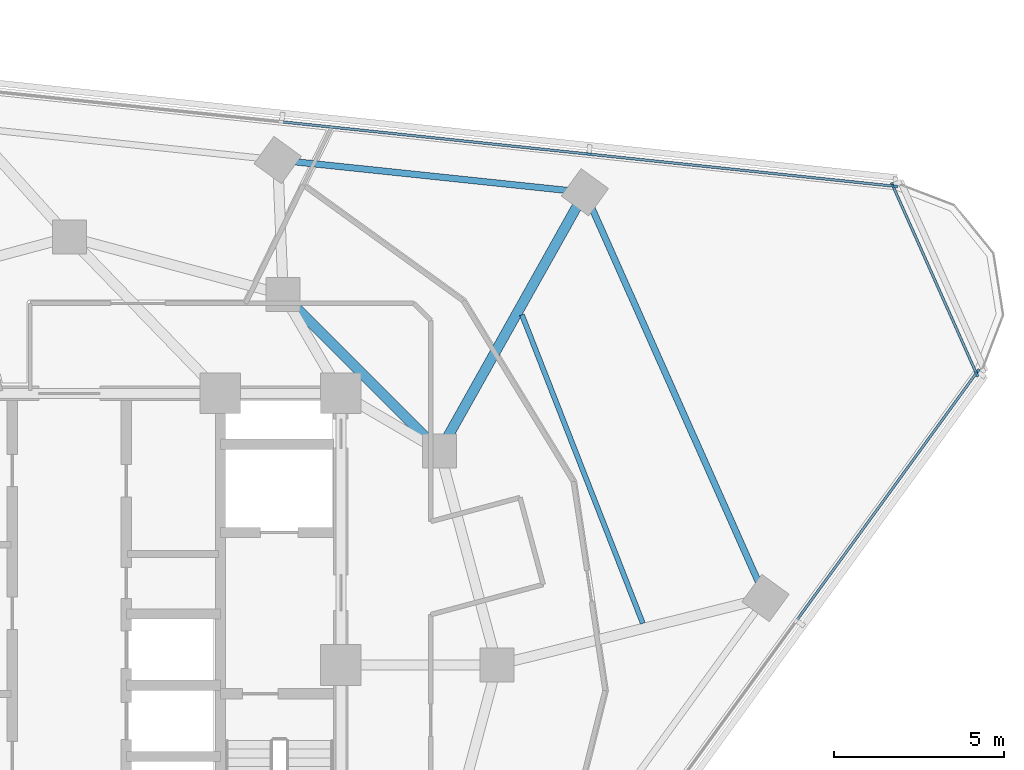
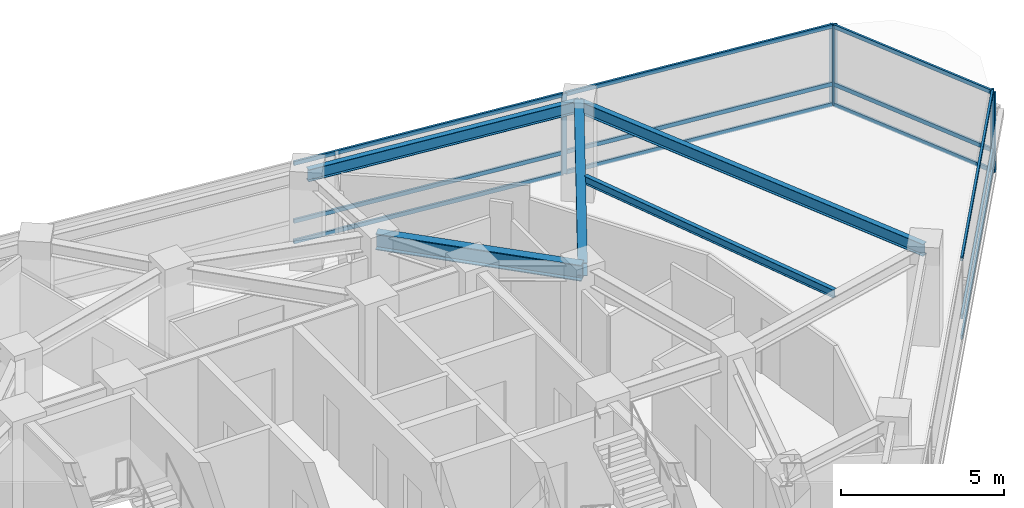
# One storey, part 6 of 15: 17 members, 5 beams, 3 elements without a shape of their own.
"""IFC4 building model written with IfcOpenShell, lengths in metres."""

from ifc_helpers import new_model, si_unit, direction, frame, origin, origin_2d, place, context, subcontext, project, spatial, rectangle, i_section, extrude, material, layer, layer_set, material_profile, profile_set, type_object, element, aggregate, save


model = new_model("IFC4")

# Units and contexts
model_context = context("Model", 3, precision=1e-05, world=origin(), true_north=direction((0.0, 1.0)))
body_context = subcontext(model_context, "Body", "Model", "MODEL_VIEW")
ifc_project = project(units=[si_unit("LENGTHUNIT", "METRE"), si_unit("AREAUNIT", "SQUARE_METRE"), si_unit("VOLUMEUNIT", "CUBIC_METRE"), si_unit("PLANEANGLEUNIT", "RADIAN"), si_unit("MASSUNIT", "GRAM", prefix="KILO")], contexts=[model_context])

# Site, building, storey
site_placement = place(None, origin())
site = spatial("IfcSite", under=ifc_project, at=site_placement, CompositionType="ELEMENT")
building_placement = place(site_placement, origin())
building = spatial("IfcBuilding", under=site, at=building_placement, Name="Terralouvre Media Tower", CompositionType="ELEMENT")
storey_placement = place(building_placement, frame((0.0, 0.0, 230.0)))
storey = spatial("IfcBuildingStorey", under=building, at=storey_placement, Name="L59", CompositionType="ELEMENT", Elevation=230.0)

# Beam
ifc_material_1 = material(Name="Structural steel S355J2", Category="steel")
ifc_material_profile_1 = material_profile(ifc_material_1, i_section(OverallWidth=0.14990234375, OverallDepth=0.300048828125, WebThickness=0.007080078125, FlangeThickness=0.0107421875, at=origin_2d()), Name="IPE 300")
ifc_profile_set_1 = profile_set([ifc_material_profile_1], Name="Structural steel S355J2")
beam_type_1 = type_object("IfcBeamType", Name="Composite Floor Joist J-IPE300 (IPE 300)", PredefinedType="JOIST", material=ifc_profile_set_1)
beam_1_placement = place(storey_placement, frame((16.89599609375, 1.2236328125, 3.35009765625), z_axis=(-0.364828295423, 0.931074817004, 0.0), x_axis=(-0.931074817004, -0.364828295423, 0.0)))
element("IfcBeam", 1, at=beam_1_placement, inside=storey, type_object=beam_type_1, Name="L59 Framing Beam JT-L59-03", PredefinedType="JOIST", context=body_context, shape_type="SweptSolid", body=[
    extrude(i_section(OverallWidth=0.14990234375, OverallDepth=0.300048828125, WebThickness=0.007080078125, FlangeThickness=0.0107421875, at=origin_2d()), origin(), (0.0, 0.0, 1.0), 9.763427734375),
])

# Curtain wall, members
ifc_material_2 = material(Name="Low-iron laminated double glazing with solar-control coating", Category="glass")
ifc_layer_1 = layer(ifc_material_2, 0.1650390625, Name="Upper Executive Tower Curtain Wall CW-05")
ifc_layer_set_1 = layer_set([ifc_layer_1], Name="Low-iron laminated double glazing with solar-control coating")
curtain_wall_type_1 = type_object("IfcCurtainWallType", Name="Upper Executive Tower Curtain Wall CW-05", PredefinedType="NOTDEFINED", material=ifc_layer_set_1)
curtain_wall_1_placement = place(storey_placement, origin())
curtain_wall_1 = element("IfcCurtainWall", 2, at=curtain_wall_1_placement, inside=storey, type_object=curtain_wall_type_1, Name="L59 Facade Curtain Wall F0", PredefinedType="NOTDEFINED")
ifc_material_3 = material(Name="Anodised extruded aluminium 6063-T6", Category="aluminium")
ifc_material_profile_2 = material_profile(ifc_material_3, rectangle(XDim=0.074951171875, YDim=0.14990234375, at=origin_2d()), Name="ALU 75x150")
ifc_profile_set_2 = profile_set([ifc_material_profile_2], Name="Anodised extruded aluminium 6063-T6")
member_type_1 = type_object("IfcMemberType", Name="Curtain-Wall Horizontal Transom TR-150", PredefinedType="USERDEFINED", material=ifc_profile_set_2)
member_1_placement = place(storey_placement, frame((21.446533203125, 1.3369140625, 0.03759765625), z_axis=(0.587787215692, 0.809015567878, 0.0), x_axis=(-0.809015567878, 0.587787215692, 0.0)))
member_1 = element("IfcMember", 3, at=member_1_placement, type_object=member_type_1, Name="CW-05 transom 5.1", ObjectType="TRANSOM", PredefinedType="USERDEFINED", context=body_context, shape_type="SweptSolid", body=[
    extrude(rectangle(XDim=0.074951171875, YDim=0.14990234375, at=origin_2d()), origin(), (0.0, 0.0, 1.0), 8.987548828125),
])
member_2_placement = place(storey_placement, frame((21.446533203125, 1.3369140625, 0.800048828125), z_axis=(0.587787215692, 0.809015567878, 0.0), x_axis=(-0.809015567878, 0.587787215692, 0.0)))
member_2 = element("IfcMember", 4, at=member_2_placement, type_object=member_type_1, Name="CW-05 transom 5.2", ObjectType="TRANSOM", PredefinedType="USERDEFINED", context=body_context, shape_type="SweptSolid", body=[
    extrude(rectangle(XDim=0.074951171875, YDim=0.14990234375, at=origin_2d()), origin(), (0.0, 0.0, 1.0), 8.987548828125),
])
member_3_placement = place(storey_placement, frame((21.446533203125, 1.3369140625, 2.96240234375), z_axis=(0.587787215692, 0.809015567878, 0.0), x_axis=(-0.809015567878, 0.587787215692, 0.0)))
member_3 = element("IfcMember", 5, at=member_3_placement, type_object=member_type_1, Name="CW-05 transom 5.3", ObjectType="TRANSOM", PredefinedType="USERDEFINED", context=body_context, shape_type="SweptSolid", body=[
    extrude(rectangle(XDim=0.074951171875, YDim=0.14990234375, at=origin_2d()), origin(), (0.0, 0.0, 1.0), 8.987548828125),
])

curtain_wall_2_placement = place(storey_placement, origin())
curtain_wall_2 = element("IfcCurtainWall", 6, at=curtain_wall_2_placement, inside=storey, type_object=curtain_wall_type_1, Name="L59 Facade Curtain Wall F1", PredefinedType="NOTDEFINED")
member_4_placement = place(storey_placement, frame((24.2822265625, 14.103759765625, 0.03759765625), z_axis=(-0.994521813919, 0.104529238206, 0.0), x_axis=(-0.104529238206, -0.994521813919, 0.0)))
member_4 = element("IfcMember", 7, at=member_4_placement, type_object=member_type_1, Name="CW-05 transom 1.1", ObjectType="TRANSOM", PredefinedType="USERDEFINED", context=body_context, shape_type="SweptSolid", body=[
    extrude(rectangle(XDim=0.074951171875, YDim=0.14990234375, at=origin_2d()), origin(), (0.0, 0.0, 1.0), 8.987548828125),
])
member_5_placement = place(storey_placement, frame((24.2822265625, 14.103759765625, 0.800048828125), z_axis=(-0.994521813919, 0.104529238206, 0.0), x_axis=(-0.104529238206, -0.994521813919, 0.0)))
member_5 = element("IfcMember", 8, at=member_5_placement, type_object=member_type_1, Name="CW-05 transom 1.2", ObjectType="TRANSOM", PredefinedType="USERDEFINED", context=body_context, shape_type="SweptSolid", body=[
    extrude(rectangle(XDim=0.074951171875, YDim=0.14990234375, at=origin_2d()), origin(), (0.0, 0.0, 1.0), 8.987548828125),
])
member_6_placement = place(storey_placement, frame((24.2822265625, 14.103759765625, 2.96240234375), z_axis=(-0.994521813919, 0.104529238206, 0.0), x_axis=(-0.104529238206, -0.994521813919, 0.0)))
member_6 = element("IfcMember", 9, at=member_6_placement, type_object=member_type_1, Name="CW-05 transom 1.3", ObjectType="TRANSOM", PredefinedType="USERDEFINED", context=body_context, shape_type="SweptSolid", body=[
    extrude(rectangle(XDim=0.074951171875, YDim=0.14990234375, at=origin_2d()), origin(), (0.0, 0.0, 1.0), 8.987548828125),
])
member_7_placement = place(storey_placement, frame((15.26953125, 15.051025390625, 0.03759765625), z_axis=(-0.994522041896, 0.104527069141, 0.0), x_axis=(-0.104527069141, -0.994522041896, 0.0)))
member_7 = element("IfcMember", 10, at=member_7_placement, type_object=member_type_1, Name="CW-05 transom 2.1", ObjectType="TRANSOM", PredefinedType="USERDEFINED", context=body_context, shape_type="SweptSolid", body=[
    extrude(rectangle(XDim=0.074951171875, YDim=0.14990234375, at=origin_2d()), origin(), (0.0, 0.0, 1.0), 9.025146484375),
])
member_8_placement = place(storey_placement, frame((15.26953125, 15.051025390625, 0.800048828125), z_axis=(-0.994522041896, 0.104527069141, 0.0), x_axis=(-0.104527069141, -0.994522041896, 0.0)))
member_8 = element("IfcMember", 11, at=member_8_placement, type_object=member_type_1, Name="CW-05 transom 2.2", ObjectType="TRANSOM", PredefinedType="USERDEFINED", context=body_context, shape_type="SweptSolid", body=[
    extrude(rectangle(XDim=0.074951171875, YDim=0.14990234375, at=origin_2d()), origin(), (0.0, 0.0, 1.0), 9.025146484375),
])
member_9_placement = place(storey_placement, frame((15.26953125, 15.051025390625, 2.96240234375), z_axis=(-0.994522041896, 0.104527069141, 0.0), x_axis=(-0.104527069141, -0.994522041896, 0.0)))
member_9 = element("IfcMember", 12, at=member_9_placement, type_object=member_type_1, Name="CW-05 transom 2.3", ObjectType="TRANSOM", PredefinedType="USERDEFINED", context=body_context, shape_type="SweptSolid", body=[
    extrude(rectangle(XDim=0.074951171875, YDim=0.14990234375, at=origin_2d()), origin(), (0.0, 0.0, 1.0), 9.025146484375),
])

ifc_material_4 = material(Name="Low-iron laminated double glazing with solar-control coating", Category="glass")
ifc_layer_2 = layer(ifc_material_4, 0.1650390625, Name="Rounded Wind-Corner Curved Glazing CW-04")
ifc_layer_set_2 = layer_set([ifc_layer_2], Name="Low-iron laminated double glazing with solar-control coating")
curtain_wall_type_2 = type_object("IfcCurtainWallType", Name="Rounded Wind-Corner Curved Glazing CW-04", PredefinedType="NOTDEFINED", material=ifc_layer_set_2)
curtain_wall_3_placement = place(storey_placement, origin())
curtain_wall_3 = element("IfcCurtainWall", 13, at=curtain_wall_3_placement, inside=storey, type_object=curtain_wall_type_2, Name="L59 Rounded Wind-Corner Curtain Wall C1", PredefinedType="NOTDEFINED")
member_10_placement = place(storey_placement, frame((26.7119140625, 8.609619140625, 0.03759765625), z_axis=(-0.406735002592, 0.913546188031, 0.0), x_axis=(-0.913546188031, -0.406735002592, 0.0)))
member_10 = element("IfcMember", 14, at=member_10_placement, type_object=member_type_1, Name="CW-04 transom 1.1", ObjectType="TRANSOM", PredefinedType="USERDEFINED", context=body_context, shape_type="SweptSolid", body=[
    extrude(rectangle(XDim=0.074951171875, YDim=0.14990234375, at=origin_2d()), origin(), (0.0, 0.0, 1.0), 5.998779296875),
])
member_11_placement = place(storey_placement, frame((26.7119140625, 8.609619140625, 0.800048828125), z_axis=(-0.406735002592, 0.913546188031, 0.0), x_axis=(-0.913546188031, -0.406735002592, 0.0)))
member_11 = element("IfcMember", 15, at=member_11_placement, type_object=member_type_1, Name="CW-04 transom 1.2", ObjectType="TRANSOM", PredefinedType="USERDEFINED", context=body_context, shape_type="SweptSolid", body=[
    extrude(rectangle(XDim=0.074951171875, YDim=0.14990234375, at=origin_2d()), origin(), (0.0, 0.0, 1.0), 5.998779296875),
])
member_12_placement = place(storey_placement, frame((26.7119140625, 8.609619140625, 2.96240234375), z_axis=(-0.406735002592, 0.913546188031, 0.0), x_axis=(-0.913546188031, -0.406735002592, 0.0)))
member_12 = element("IfcMember", 16, at=member_12_placement, type_object=member_type_1, Name="CW-04 transom 1.3", ObjectType="TRANSOM", PredefinedType="USERDEFINED", context=body_context, shape_type="SweptSolid", body=[
    extrude(rectangle(XDim=0.074951171875, YDim=0.14990234375, at=origin_2d()), origin(), (0.0, 0.0, 1.0), 5.998779296875),
])

# Member
ifc_material_5 = material(Name="Anodised extruded aluminium 6063-T6", Category="aluminium")
ifc_material_profile_3 = material_profile(ifc_material_5, rectangle(XDim=0.074951171875, YDim=0.179931640625, at=origin_2d()), Name="ALU 75x180")
ifc_profile_set_3 = profile_set([ifc_material_profile_3], Name="Anodised extruded aluminium 6063-T6")
member_type_2 = type_object("IfcMemberType", Name="Curtain-Wall Vertical Mullion ML-180", PredefinedType="MULLION", material=ifc_profile_set_3)
member_13_placement = place(storey_placement, frame((26.751220703125, 8.63818359375, 0.0), z_axis=(0.0, 0.0, 1.0), x_axis=(-0.809016959074, 0.587785300879, 0.0)))
member_13 = element("IfcMember", 17, at=member_13_placement, type_object=member_type_2, Name="CW-05 mullion 6", PredefinedType="MULLION", context=body_context, shape_type="SweptSolid", body=[
    extrude(rectangle(XDim=0.074951171875, YDim=0.179931640625, at=origin_2d()), origin(), (0.0, 0.0, 1.0), 3.0),
])

aggregate(curtain_wall_1, [member_13, member_1, member_2, member_3])

member_14_placement = place(storey_placement, frame((24.319580078125, 14.099853515625, 0.0), z_axis=(0.0, 0.0, 1.0), x_axis=(-0.104528561651, -0.994521885028, 0.0)))
member_14 = element("IfcMember", 18, at=member_14_placement, type_object=member_type_2, Name="CW-05 mullion 1", PredefinedType="MULLION", context=body_context, shape_type="SweptSolid", body=[
    extrude(rectangle(XDim=0.074951171875, YDim=0.179931640625, at=origin_2d()), origin(), (0.0, 0.0, 1.0), 3.0),
])

member_15_placement = place(storey_placement, frame((15.306640625, 15.047119140625, 0.0), z_axis=(0.0, 0.0, 1.0), x_axis=(-0.104528561651, -0.994521885028, 0.0)))
member_15 = element("IfcMember", 19, at=member_15_placement, type_object=member_type_2, Name="CW-05 mullion 2", PredefinedType="MULLION", context=body_context, shape_type="SweptSolid", body=[
    extrude(rectangle(XDim=0.074951171875, YDim=0.179931640625, at=origin_2d()), origin(), (0.0, 0.0, 1.0), 3.0),
])

aggregate(curtain_wall_2, [member_14, member_15, member_4, member_5, member_6, member_7, member_8, member_9])

member_16_placement = place(storey_placement, frame((26.727294921875, 8.575439453125, 0.0), z_axis=(0.0, 0.0, 1.0), x_axis=(-0.913545102243, -0.406737441315, 0.0)))
member_16 = element("IfcMember", 20, at=member_16_placement, type_object=member_type_2, Name="CW-04 mullion 1", PredefinedType="MULLION", context=body_context, shape_type="SweptSolid", body=[
    extrude(rectangle(XDim=0.074951171875, YDim=0.179931640625, at=origin_2d()), origin(), (0.0, 0.0, 1.0), 3.0),
])

member_17_placement = place(storey_placement, frame((24.2568359375, 14.1240234375, 0.0), z_axis=(0.0, 0.0, 1.0), x_axis=(-0.913545102243, -0.406737441315, 0.0)))
member_17 = element("IfcMember", 21, at=member_17_placement, type_object=member_type_2, Name="CW-04 mullion 2", PredefinedType="MULLION", context=body_context, shape_type="SweptSolid", body=[
    extrude(rectangle(XDim=0.074951171875, YDim=0.179931640625, at=origin_2d()), origin(), (0.0, 0.0, 1.0), 3.0),
])

aggregate(curtain_wall_3, [member_16, member_17, member_10, member_11, member_12])

# Beams
ifc_material_6 = material(Name="Structural steel S355J2", Category="steel")
ifc_material_profile_4 = material_profile(ifc_material_6, i_section(OverallWidth=0.18994140625, OverallDepth=0.449951171875, WebThickness=0.009521484375, FlangeThickness=0.0146484375, at=origin_2d()), Name="IPE 450")
ifc_profile_set_4 = profile_set([ifc_material_profile_4], Name="Structural steel S355J2")
beam_type_2 = type_object("IfcBeamType", Name="Perimeter Spandrel Beam SPB-450 (IPE 450)", PredefinedType="SPANDREL", material=ifc_profile_set_4)
beam_2_placement = place(storey_placement, frame((20.51025390625, 1.970703125, 3.27490234375), z_axis=(-0.406744336382, 0.913542032323, 0.0), x_axis=(-0.913542032323, -0.406744336382, 0.0)))
element("IfcBeam", 22, at=beam_2_placement, inside=storey, type_object=beam_type_2, Name="L59 Framing Beam BM-L59-PR07", PredefinedType="SPANDREL", context=body_context, shape_type="SweptSolid", body=[
    extrude(i_section(OverallWidth=0.18994140625, OverallDepth=0.449951171875, WebThickness=0.009521484375, FlangeThickness=0.0146484375, at=origin_2d()), origin(), (0.0, 0.0, 1.0), 13.083740234375),
])
beam_3_placement = place(storey_placement, frame((15.1884765625, 13.92333984375, 3.27490234375), z_axis=(-0.994522199081, 0.104525573596, 0.0), x_axis=(-0.104525573596, -0.994522199081, 0.0)))
element("IfcBeam", 23, at=beam_3_placement, inside=storey, type_object=beam_type_2, Name="L59 Framing Beam BM-L59-PR08", PredefinedType="SPANDREL", context=body_context, shape_type="SweptSolid", body=[
    extrude(i_section(OverallWidth=0.18994140625, OverallDepth=0.449951171875, WebThickness=0.009521484375, FlangeThickness=0.0146484375, at=origin_2d()), origin(), (0.0, 0.0, 1.0), 9.099853515625),
])
ifc_material_7 = material(Name="Structural steel S355J2", Category="steel")
ifc_material_profile_5 = material_profile(ifc_material_7, i_section(OverallWidth=0.300048828125, OverallDepth=0.5, WebThickness=0.014404296875, FlangeThickness=0.028076171875, at=origin_2d()), Name="HEB 500")
ifc_profile_set_5 = profile_set([ifc_material_profile_5], Name="Structural steel S355J2")
beam_type_3 = type_object("IfcBeamType", Name="Primary Floor Girder B-HEB500 (HEB 500)", PredefinedType="BEAM", material=ifc_profile_set_5)
beam_4_placement = place(storey_placement, frame((10.911865234375, 6.300048828125, 3.25), z_axis=(0.489262374018, 0.872136646042, 0.0), x_axis=(-0.872136646042, 0.489262374018, 0.0)))
element("IfcBeam", 24, at=beam_4_placement, inside=storey, type_object=beam_type_3, Name="L59 Framing Beam BM-L59-RD08", PredefinedType="BEAM", context=body_context, shape_type="SweptSolid", body=[
    extrude(i_section(OverallWidth=0.300048828125, OverallDepth=0.5, WebThickness=0.014404296875, FlangeThickness=0.028076171875, at=origin_2d()), origin(), (0.0, 0.0, 1.0), 8.740966796875),
])
ifc_material_8 = material(Name="Structural steel S460M", Category="steel")
ifc_material_profile_6 = material_profile(ifc_material_8, i_section(OverallWidth=0.300048828125, OverallDepth=0.60009765625, WebThickness=0.015380859375, FlangeThickness=0.030029296875, at=origin_2d()), Name="HEB 600")
ifc_profile_set_6 = profile_set([ifc_material_profile_6], Name="Structural steel S460M")
beam_type_4 = type_object("IfcBeamType", Name="Primary Floor Girder B-HEB600 (HEB 600)", PredefinedType="BEAM", material=ifc_profile_set_6)
beam_5_placement = place(storey_placement, frame((10.911865234375, 6.300048828125, 3.199951171875), z_axis=(-0.707106781187, 0.707106781187, 0.0), x_axis=(-0.707106781187, -0.707106781187, 0.0)))
element("IfcBeam", 25, at=beam_5_placement, inside=storey, type_object=beam_type_4, Name="L59 Framing Beam BM-L59-MR07", PredefinedType="BEAM", context=body_context, shape_type="SweptSolid", body=[
    extrude(i_section(OverallWidth=0.300048828125, OverallDepth=0.60009765625, WebThickness=0.015380859375, FlangeThickness=0.030029296875, at=origin_2d()), origin(), (0.0, 0.0, 1.0), 6.52197265625),
])

save(model, "model.ifc")
